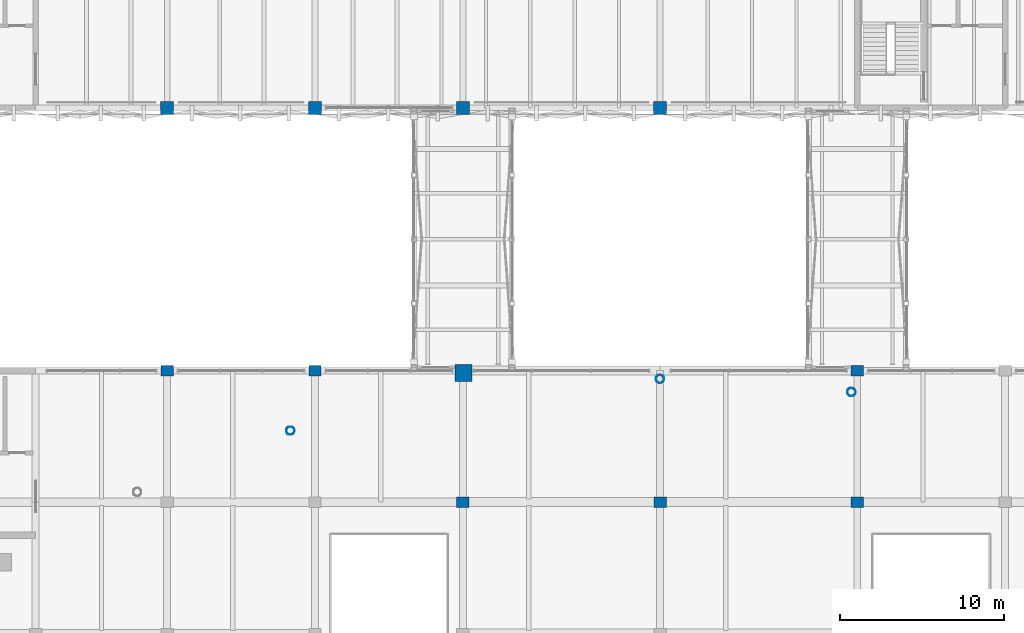
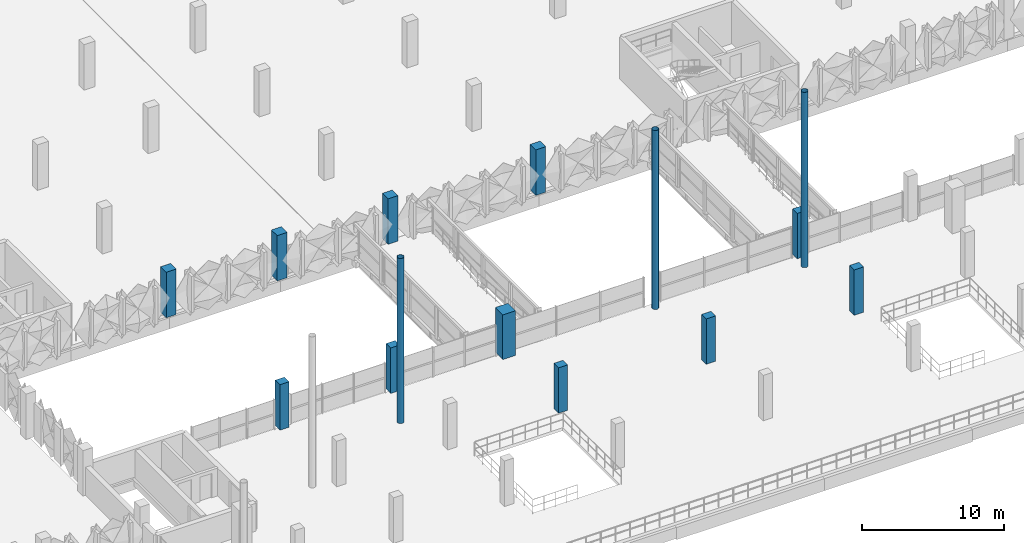
# One storey, part 10 of 123: 14 columns.
"""IFC4 building model written with IfcOpenShell, lengths in metres."""

import ifcopenshell
import ifcopenshell.guid

model = None  # the IFC model being written
_history = None  # IfcOwnerHistory: only IFC2X3 demands one
_inside = {}  # id of a spatial element -> (the spatial element, [elements in it])
_under = {}  # id of a project, library or spatial element -> (it, [spatial elements below it])
_declared = {}  # id of a project -> (the project, [libraries it declares])
_typed = {}  # id of a type object -> (the type object, [elements of that type])
_made_of = {}  # id of a material, layer set ... -> (it, [elements and type objects made of it])


def new_model(schema):
    """Start an empty IFC model of exactly this schema.

    Asked for "IFC4X3", IfcOpenShell would pick the latest addendum, in which some entities
    have other attributes; the version numbers below select the first issue.
    IFC2X3 requires an IfcOwnerHistory on every rooted entity: one is made here for all.
    """
    global model, _history
    if schema == "IFC4X3":
        model = ifcopenshell.file(schema_version=(4, 3, 0, 0))
    else:
        model = ifcopenshell.file(schema=schema)
    _inside.clear()
    _under.clear()
    _declared.clear()
    _typed.clear()
    _made_of.clear()
    _history = None
    if model.schema == "IFC2X3":
        org = make("IfcOrganization", Name="unknown")
        user = make(
            "IfcPersonAndOrganization",
            ThePerson=make("IfcPerson", FamilyName="unknown"),
            TheOrganization=org,
        )
        app = make(
            "IfcApplication",
            ApplicationDeveloper=org,
            Version="unknown",
            ApplicationFullName="unknown",
            ApplicationIdentifier="unknown",
        )
        _history = make(
            "IfcOwnerHistory",
            OwningUser=user,
            OwningApplication=app,
            ChangeAction="ADDED",
            CreationDate=0,
        )
    return model


def make(cls, **values):
    """One entity of the class cls with the attributes given. An attribute that is None is left unset."""
    return model.create_entity(
        cls, **{name: value for name, value in values.items() if value is not None}
    )


def rooted(cls, **values):
    """An entity with a GlobalId (a new one), such as an element, a storey or a relation."""
    return make(cls, GlobalId=ifcopenshell.guid.new(), OwnerHistory=_history, **values)


def si_unit(unit_type, name, prefix=None):
    """IfcSIUnit, for example si_unit("LENGTHUNIT", "METRE", prefix="MILLI")."""
    return make("IfcSIUnit", UnitType=unit_type, Prefix=prefix, Name=name)


def derived_unit(unit_type, elements):
    """IfcDerivedUnit: a product of units, each with its exponent."""
    return make(
        "IfcDerivedUnit",
        Elements=[
            make("IfcDerivedUnitElement", Unit=unit, Exponent=power)
            for unit, power in elements
        ],
        UnitType=unit_type,
    )


def assignment(units):
    """IfcUnitAssignment: the units of a project."""
    return None if units is None else make("IfcUnitAssignment", Units=units)


def point(xyz):
    """IfcCartesianPoint."""
    return None if xyz is None else make("IfcCartesianPoint", Coordinates=xyz)


def direction(xyz):
    """IfcDirection."""
    return None if xyz is None else make("IfcDirection", DirectionRatios=xyz)


def frame(location, z_axis=None, x_axis=None):
    """IfcAxis2Placement3D, a coordinate frame: its origin and axes. An axis left out is left unset."""
    return make(
        "IfcAxis2Placement3D",
        Location=point(location),
        Axis=direction(z_axis),
        RefDirection=direction(x_axis),
    )


def frame_2d(location, x_axis=None):
    """IfcAxis2Placement2D, a coordinate frame in the plane: its origin and x axis."""
    return make(
        "IfcAxis2Placement2D", Location=point(location), RefDirection=direction(x_axis)
    )


def origin():
    """The frame at (0, 0, 0) with its axes left unset."""
    return frame((0.0, 0.0, 0.0))


def origin_2d():
    """The frame at (0, 0) in the plane with its x axis left unset."""
    return frame_2d((0.0, 0.0))


def place(relative_to, where):
    """IfcLocalPlacement: puts the frame where relative to a parent placement (None: the world)."""
    return make(
        "IfcLocalPlacement", PlacementRelTo=relative_to, RelativePlacement=where
    )


def context(
    kind, dimensions, precision=None, world=None, true_north=None, identifier=None
):
    """IfcGeometricRepresentationContext, for example the 3D "Model" context."""
    return make(
        "IfcGeometricRepresentationContext",
        ContextIdentifier=identifier,
        ContextType=kind,
        CoordinateSpaceDimension=dimensions,
        Precision=precision,
        WorldCoordinateSystem=world,
        TrueNorth=true_north,
    )


def subcontext(parent, identifier, kind, view, scale=None):
    """IfcGeometricRepresentationSubContext, for example "Body" below "Model"."""
    return make(
        "IfcGeometricRepresentationSubContext",
        ContextIdentifier=identifier,
        ContextType=kind,
        ParentContext=parent,
        TargetScale=scale,
        TargetView=view,
    )


def project(units=None, contexts=None):
    """IfcProject with its units and contexts."""
    return rooted(
        "IfcProject",
        Name="project",
        RepresentationContexts=contexts,
        UnitsInContext=assignment(units),
    )


def spatial(cls, under=None, at=None, **own):
    """A site, building, storey or space (cls), placed at a placement, below another one or the project."""
    s = rooted(cls, ObjectPlacement=at, **own)
    if under is not None:
        _under.setdefault(under.id(), (under, []))[1].append(s)
    return s


def profile(cls, at=None, kind="AREA", **sizes):
    """A parametric profile (cls). Its sizes go by their IFC names, for example OverallWidth=200.0."""
    return make(cls, ProfileType=kind, Position=at, **sizes)


def rectangle(**sizes):
    """IfcRectangleProfileDef."""
    return profile("IfcRectangleProfileDef", **sizes)


def hollow_circle(**sizes):
    """IfcCircleHollowProfileDef."""
    return profile("IfcCircleHollowProfileDef", **sizes)


def extrude(swept, where, along, depth):
    """IfcExtrudedAreaSolid: the profile swept, set in the frame where, extruded along a direction by depth."""
    return make(
        "IfcExtrudedAreaSolid",
        SweptArea=swept,
        Position=where,
        ExtrudedDirection=direction(along),
        Depth=depth,
    )


def shape(context_of_items, identifier, shape_type, items):
    """IfcShapeRepresentation: the items that make up one representation, for example the "Body"."""
    return make(
        "IfcShapeRepresentation",
        ContextOfItems=context_of_items,
        RepresentationIdentifier=identifier,
        RepresentationType=shape_type,
        Items=items,
    )


def material(Name=None, Category=None):
    """IfcMaterial."""
    return make("IfcMaterial", Name=Name, Category=Category)


def material_profile(
    of_material, cross_section, Name=None, Category=None, Priority=None
):
    """IfcMaterialProfile: a cross section and its material."""
    return make(
        "IfcMaterialProfile",
        Name=Name,
        Material=of_material,
        Profile=cross_section,
        Priority=Priority,
        Category=Category,
    )


def profile_set(profiles, Name=None, composite=None):
    """IfcMaterialProfileSet."""
    return make(
        "IfcMaterialProfileSet",
        Name=Name,
        MaterialProfiles=profiles,
        CompositeProfile=composite,
    )


def made_of(thing, what):
    """Note that an element or type object is made of a material, layer set ...; save() writes the relation."""
    if what is not None:
        _made_of.setdefault(what.id(), (what, []))[1].append(thing)
    return thing


def type_object(cls, material=None, **own):
    """A type object (cls), such as IfcWallType, which elements share."""
    return made_of(rooted(cls, **own), material)


def element(
    cls,
    number,
    at=None,
    inside=None,
    cuts=None,
    type_object=None,
    material=None,
    context=None,
    identifier="Body",
    shape_type=None,
    held_by="IfcProductDefinitionShape",
    body=None,
    shapes=None,
    **own,
):
    """One element of the class cls, such as IfcWall. Its Tag is "e" and its number.

    at: its placement. inside: the storey or other place that contains it. cuts: it is an
    opening in that element (IfcRelVoidsElement). A single representation is given by context,
    identifier, shape_type and body (its items); several are given by shapes. held_by: the class
    of the entity that holds the representations. save() writes the other relations.
    """
    e = rooted(cls, Tag="e%d" % number, ObjectPlacement=at, **own)
    if body is not None:
        shapes = [shape(context, identifier, shape_type, body)]
    if shapes is not None:
        e.Representation = make(held_by, Representations=shapes)
    if inside is not None:
        _inside.setdefault(inside.id(), (inside, []))[1].append(e)
    if cuts is not None:
        rooted(
            "IfcRelVoidsElement", RelatingBuildingElement=cuts, RelatedOpeningElement=e
        )
    if type_object is not None:
        _typed.setdefault(type_object.id(), (type_object, []))[1].append(e)
    return made_of(e, material)


def aggregate(whole, parts):
    """IfcRelAggregates: a whole, such as a stair, and the parts it consists of."""
    return rooted("IfcRelAggregates", RelatingObject=whole, RelatedObjects=parts)


def save(model, path):
    """Write the relations noted so far, then the file.

    IfcRelAggregates (storeys below a building ...), IfcRelContainedInSpatialStructure (elements
    in a storey), IfcRelDefinesByType, IfcRelAssociatesMaterial and IfcRelDeclares: one each for
    every whole, place, type object, material and project.
    """
    for whole, parts in _under.values():
        aggregate(whole, parts)
    for where, things in _inside.values():
        rooted(
            "IfcRelContainedInSpatialStructure",
            RelatedElements=things,
            RelatingStructure=where,
        )
    for kind, things in _typed.values():
        rooted("IfcRelDefinesByType", RelatedObjects=things, RelatingType=kind)
    for what, things in _made_of.values():
        rooted("IfcRelAssociatesMaterial", RelatedObjects=things, RelatingMaterial=what)
    for by, libraries in _declared.values():
        rooted("IfcRelDeclares", RelatingContext=by, RelatedDefinitions=libraries)
    model.write(path)


model = new_model("IFC4")

# Units and contexts
model_context = context("Model", 3, precision=1e-05, world=origin(), true_north=direction((0.0, 1.0)))
body_context = subcontext(model_context, "Body", "Model", "MODEL_VIEW")
ifc_project = project(units=[si_unit("LENGTHUNIT", "METRE"), si_unit("AREAUNIT", "SQUARE_METRE"), si_unit("VOLUMEUNIT", "CUBIC_METRE"), si_unit("PLANEANGLEUNIT", "RADIAN"), si_unit("MASSUNIT", "GRAM", prefix="KILO"), si_unit("THERMODYNAMICTEMPERATUREUNIT", "KELVIN"), derived_unit("THERMALTRANSMITTANCEUNIT", [(si_unit("POWERUNIT", "WATT"), 1), (si_unit("AREAUNIT", "SQUARE_METRE"), -1), (si_unit("THERMODYNAMICTEMPERATUREUNIT", "KELVIN"), -1)])], contexts=[model_context])

# Site, building, storey
site_placement = place(None, origin())
site = spatial("IfcSite", under=ifc_project, at=site_placement, CompositionType="ELEMENT")
building_placement = place(site_placement, origin())
building = spatial("IfcBuilding", under=site, at=building_placement, Name="Haiyu Intermodal Mobility Hub", CompositionType="ELEMENT")
storey_placement = place(building_placement, frame((0.0, 0.0, 5.60009765625)))
storey = spatial("IfcBuildingStorey", under=building, at=storey_placement, Name="L01", CompositionType="ELEMENT", Elevation=5.60009765625)

# Columns
ifc_material_1 = material(Name="Precast concrete C40", Category="concrete")
ifc_material_profile_1 = material_profile(ifc_material_1, rectangle(XDim=0.800048828125, YDim=0.800048828125, at=origin_2d()), Name="RC800x800")
ifc_profile_set_1 = profile_set([ifc_material_profile_1], Name="Precast concrete C40")
column_type_1 = type_object("IfcColumnType", Name="COL-CC02-EXT", PredefinedType="COLUMN", material=ifc_profile_set_1)
for number, where, z_axis, x_axis, name in (
    (1, (78.0, 104.0, 0.0), (0.0, 0.0, 1.0), (1.0, 0.0, 0.0), "Column V4-9M L01"),
    (2, (87.0, 104.0, 0.0), (0.0, 0.0, 1.0), (1.0, 0.0, 0.0), "Column V4-10M L01"),
    (3, (96.0, 104.0, 0.0), (0.0, 0.0, 1.0), (1.0, 0.0, 0.0), "Column V4-11M L01"),
    (4, (108.0, 104.0, 0.0), (0.0, 0.0, 1.0), (1.0, 0.0, 0.0), "Column V4-12M L01"),
):
    element("IfcColumn", number, at=place(storey_placement, frame(where, z_axis=z_axis, x_axis=x_axis)), inside=storey, type_object=column_type_1, Name=name, PredefinedType="COLUMN", context=body_context, shape_type="SweptSolid", body=[
        extrude(rectangle(XDim=0.800048828125, YDim=0.800048828125, at=origin_2d()), origin(), (0.0, 0.0, 1.0), 3.89990234375),
    ])
ifc_material_2 = material(Name="Concrete C40", Category="concrete")
ifc_material_profile_2 = material_profile(ifc_material_2, rectangle(XDim=0.75, YDim=0.64990234375, at=origin_2d()), Name="RC750x650")
ifc_profile_set_2 = profile_set([ifc_material_profile_2], Name="Concrete C40")
column_type_2 = type_object("IfcColumnType", Name="COL-CC07", PredefinedType="COLUMN", material=ifc_profile_set_2)
for number, where, z_axis, x_axis, name in (
    (5, (96.0, 80.0, 0.0), (0.0, 0.0, 1.0), (1.0, 0.0, 0.0), "Column V1-11J L01"),
    (6, (108.0, 80.0, 0.0), (0.0, 0.0, 1.0), (1.0, 0.0, 0.0), "Column V1-12J L01"),
    (7, (120.0, 80.0, 0.0), (0.0, 0.0, 1.0), (1.0, 0.0, 0.0), "Column V1-13J L01"),
):
    element("IfcColumn", number, at=place(storey_placement, frame(where, z_axis=z_axis, x_axis=x_axis)), inside=storey, type_object=column_type_2, Name=name, PredefinedType="COLUMN", context=body_context, shape_type="SweptSolid", body=[
        extrude(rectangle(XDim=0.75, YDim=0.64990234375, at=origin_2d()), origin(), (0.0, 0.0, 1.0), 3.89990234375),
    ])
ifc_material_profile_3 = material_profile(ifc_material_2, rectangle(XDim=0.75, YDim=0.64990234375, at=origin_2d()), Name="RC750x650")
ifc_profile_set_3 = profile_set([ifc_material_profile_3], Name="Concrete C40")
column_type_3 = type_object("IfcColumnType", Name="COL-CC07-EXT", PredefinedType="COLUMN", material=ifc_profile_set_3)
for number, where, z_axis, x_axis, name in (
    (8, (78.0, 88.0, 0.0), (0.0, 0.0, 1.0), (1.0, 0.0, 0.0), "Column V1-9K L01"),
    (9, (87.0, 88.0, 0.0), (0.0, 0.0, 1.0), (1.0, 0.0, 0.0), "Column V1-10K L01"),
    (10, (120.0, 88.0, 0.0), (0.0, 0.0, 1.0), (1.0, 0.0, 0.0), "Column V1-13K L01"),
):
    element("IfcColumn", number, at=place(storey_placement, frame(where, z_axis=z_axis, x_axis=x_axis)), inside=storey, type_object=column_type_3, Name=name, PredefinedType="COLUMN", context=body_context, shape_type="SweptSolid", body=[
        extrude(rectangle(XDim=0.75, YDim=0.64990234375, at=origin_2d()), origin(), (0.0, 0.0, 1.0), 3.89990234375),
    ])
ifc_material_profile_4 = material_profile(ifc_material_2, rectangle(XDim=1.050048828125, YDim=1.050048828125, at=origin_2d()), Name="RC1050x1050")
ifc_profile_set_4 = profile_set([ifc_material_profile_4], Name="Concrete C40")
column_type_4 = type_object("IfcColumnType", Name="COL-CC12-EXT", PredefinedType="COLUMN", material=ifc_profile_set_4)
column_1_placement = place(storey_placement, frame((96.04296875, 87.85791015625, 0.0), z_axis=(0.0, 0.0, 1.0), x_axis=(1.0, 0.0, 0.0)))
element("IfcColumn", 11, at=column_1_placement, inside=storey, type_object=column_type_4, Name="Column MP-03 L01", PredefinedType="COLUMN", context=body_context, shape_type="SweptSolid", body=[
    extrude(rectangle(XDim=1.050048828125, YDim=1.050048828125, at=origin_2d()), origin(), (0.0, 0.0, 1.0), 3.8349609375),
])
ifc_material_3 = material(Name="Steel Q355C", Category="steel")
ifc_material_profile_5 = material_profile(ifc_material_3, hollow_circle(Radius=0.25390625, WallThickness=0.01611328125, at=origin_2d()), Name="CHS508x16")
ifc_profile_set_5 = profile_set([ifc_material_profile_5], Name="Steel Q355C")
column_type_5 = type_object("IfcColumnType", Name="COL-SC02-EXT", PredefinedType="COLUMN", material=ifc_profile_set_5)
column_2_placement = place(storey_placement, frame((119.64697265625, 86.698974609375, 0.0), z_axis=(0.0, 0.0, 1.0), x_axis=(1.0, 0.0, 0.0)))
element("IfcColumn", 12, at=column_2_placement, inside=storey, type_object=column_type_5, Name="Column RCOL-06 L01", PredefinedType="COLUMN", context=body_context, shape_type="SweptSolid", body=[
    extrude(hollow_circle(Radius=0.25390625, WallThickness=0.01611328125, at=origin_2d()), origin(), (0.0, 0.0, 1.0), 15.037841796875),
])
column_3_placement = place(storey_placement, frame((108.0, 87.5, 0.0), z_axis=(0.0, 0.0, 1.0), x_axis=(1.0, 0.0, 0.0)))
element("IfcColumn", 13, at=column_3_placement, inside=storey, type_object=column_type_5, Name="Column RCOL-07 L01", PredefinedType="COLUMN", context=body_context, shape_type="SweptSolid", body=[
    extrude(hollow_circle(Radius=0.25390625, WallThickness=0.01611328125, at=origin_2d()), origin(), (0.0, 0.0, 1.0), 15.35986328125),
])
column_4_placement = place(storey_placement, frame((85.5, 84.35205078125, 0.0), z_axis=(0.0, 0.0, 1.0), x_axis=(1.0, 0.0, 0.0)))
element("IfcColumn", 14, at=column_4_placement, inside=storey, type_object=column_type_5, Name="Column RCOL-09 L01", PredefinedType="COLUMN", context=body_context, shape_type="SweptSolid", body=[
    extrude(hollow_circle(Radius=0.25390625, WallThickness=0.01611328125, at=origin_2d()), origin(), (0.0, 0.0, 1.0), 14.159912109375),
])

save(model, "model.ifc")
